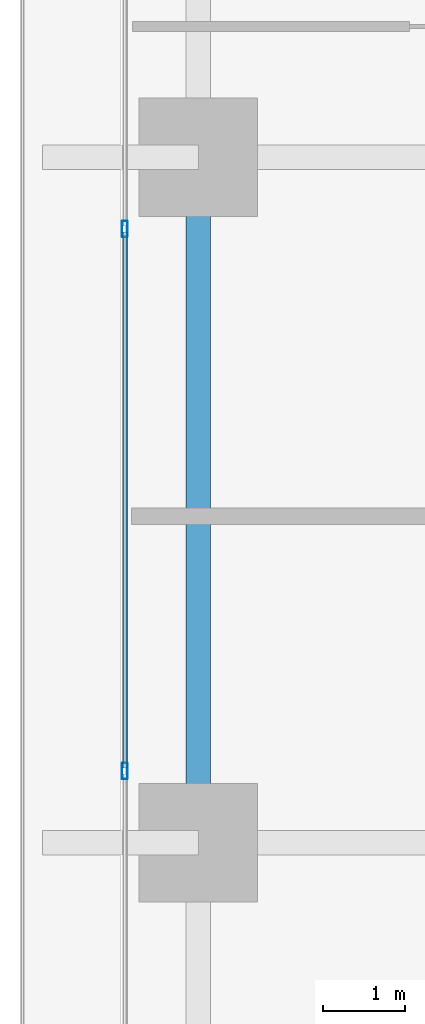
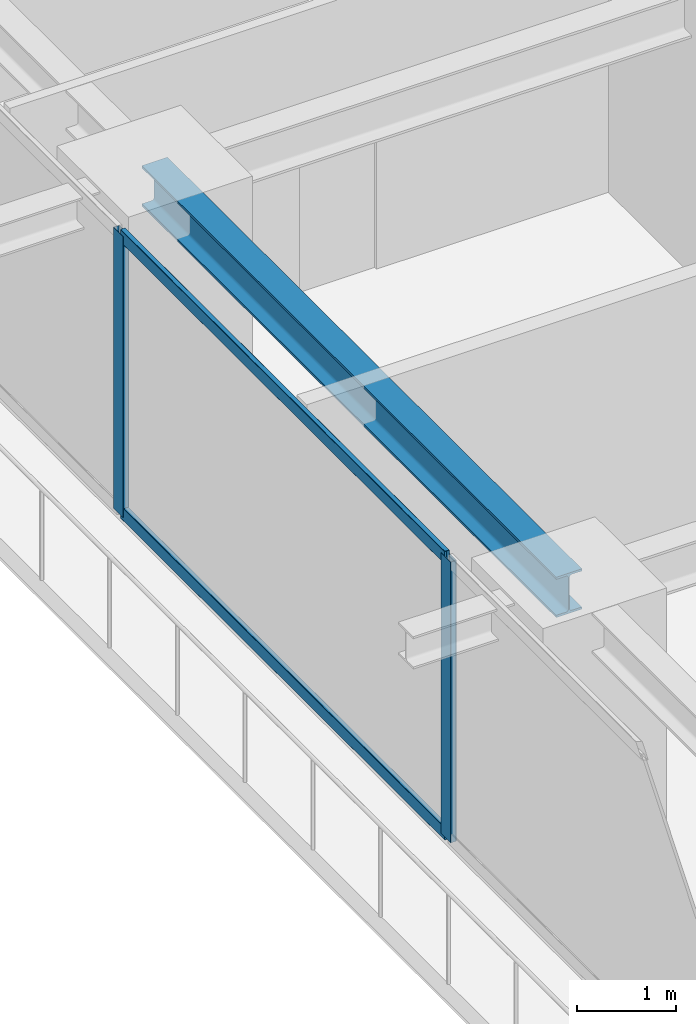
# One storey, part 9 of 39: 4 members, 1 beam, 1 element without a shape of its own.
"""IFC4 building model written with IfcOpenShell, lengths in metres."""

from ifc_helpers import new_model, si_unit, direction, frame, origin, origin_2d, place, context, subcontext, project, spatial, hollow_rectangle, i_section, extrude, source, transform, mapped, material, layer, layer_set, material_profile, profile_set, type_object, element, aggregate, save


model = new_model("IFC4")

# Units and contexts
model_context = context("Model", 3, precision=1e-05, world=origin(), true_north=direction((0.0, 1.0)))
body_context = subcontext(model_context, "Body", "Model", "MODEL_VIEW")
ifc_project = project(units=[si_unit("LENGTHUNIT", "METRE"), si_unit("AREAUNIT", "SQUARE_METRE"), si_unit("VOLUMEUNIT", "CUBIC_METRE"), si_unit("PLANEANGLEUNIT", "RADIAN"), si_unit("MASSUNIT", "GRAM", prefix="KILO")], contexts=[model_context])

# Site, building, storey
site_placement = place(None, origin())
site = spatial("IfcSite", under=ifc_project, at=site_placement, CompositionType="ELEMENT")
building_placement = place(site_placement, origin())
building = spatial("IfcBuilding", under=site, at=building_placement, Name="Serunith Strait Residences", CompositionType="ELEMENT")
storey_placement = place(building_placement, frame((0.0, 0.0, 64.199951171875)))
storey = spatial("IfcBuildingStorey", under=building, at=storey_placement, Name="L15", CompositionType="ELEMENT", Elevation=64.199951171875)

# Beam
ifc_material_1 = material(Name="Steel S355J2", Category="steel")
ifc_material_profile_1 = material_profile(ifc_material_1, i_section(OverallWidth=0.300048828125, OverallDepth=0.5, WebThickness=0.014404296875, FlangeThickness=0.028076171875, FilletRadius=0.027099609375, at=origin_2d()), Name="HEB 500")
ifc_profile_set_1 = profile_set([ifc_material_profile_1], Name="Steel S355J2")
beam_type = type_object("IfcBeamType", Name="BM-HEB500", PredefinedType="BEAM", material=ifc_profile_set_1)
shared_shape_1 = source(origin(), body_context, "Body", "SweptSolid", [
    extrude(i_section(OverallWidth=0.300048828125, OverallDepth=0.5, WebThickness=0.014404296875, FlangeThickness=0.028076171875, FilletRadius=0.027099609375, at=origin_2d()), origin(), (0.0, 0.0, 1.0), 8.39990234375),
])
beam_placement = place(storey_placement, frame((6.89990234375, 29.39990234375, 3.237060546875), z_axis=(0.0, -1.0, 0.0), x_axis=(1.0, 0.0, 0.0)))
element("IfcBeam", 1, at=beam_placement, inside=storey, type_object=beam_type, Name="L15 Perimeter Ring Beam 14", PredefinedType="BEAM", context=body_context, shape_type="MappedRepresentation", body=[
    mapped(shared_shape_1, transform((0.0, 0.0, 0.0), scale=1.0)),
])

# Curtain wall, members
ifc_material_2 = material(Name="Pale-Champagne Anodised Aluminium", Category="aluminium")
ifc_layer = layer(ifc_material_2, 0.199951171875, Name="Pale-Champagne Anodised Aluminium")
ifc_layer_set = layer_set([ifc_layer], Name="Pale-Champagne Anodised Aluminium")
curtain_wall_type = type_object("IfcCurtainWallType", Name="CW-SYS1", PredefinedType="NOTDEFINED", material=ifc_layer_set)
curtain_wall_placement = place(storey_placement, origin())
curtain_wall = element("IfcCurtainWall", 2, at=curtain_wall_placement, inside=storey, type_object=curtain_wall_type, Name="L15 W Unitised Fritted Curtain Wall", PredefinedType="NOTDEFINED")
ifc_material_profile_2 = material_profile(ifc_material_2, hollow_rectangle(XDim=0.070068359375, YDim=0.199951171875, WallThickness=0.00390625, InnerFilletRadius=0.006103515625, OuterFilletRadius=0.010009765625, at=origin_2d()), Name="ALU 200x70x4")
ifc_profile_set_2 = profile_set([ifc_material_profile_2], Name="Pale-Champagne Anodised Aluminium")
member_type_1 = type_object("IfcMemberType", Name="CW-SYS1-MULL", PredefinedType="MULLION", material=ifc_profile_set_2)
shared_shape_2 = source(origin(), body_context, "Body", "SweptSolid", [
    extrude(hollow_rectangle(XDim=0.070068359375, YDim=0.199951171875, WallThickness=0.00390625, InnerFilletRadius=0.006103515625, OuterFilletRadius=0.010009765625, at=origin_2d()), origin(), (0.0, 0.0, 1.0), 3.47509765625),
])
member_1_placement = place(storey_placement, frame((6.0, 28.52001953125, 0.0), z_axis=(0.0, 0.0, 1.0), x_axis=(1.0, 0.0, 0.0)))
member_1 = element("IfcMember", 3, at=member_1_placement, type_object=member_type_1, Name="CW-1 mullion 3", PredefinedType="MULLION", context=body_context, shape_type="MappedRepresentation", body=[
    mapped(shared_shape_2, transform((0.0, 0.0, 0.0), scale=1.0)),
])
member_2_placement = place(storey_placement, frame((6.0, 21.8798828125, 0.0), z_axis=(0.0, 0.0, 1.0), x_axis=(1.0, 0.0, 0.0)))
member_2 = element("IfcMember", 4, at=member_2_placement, type_object=member_type_1, Name="CW-1 mullion 4", PredefinedType="MULLION", context=body_context, shape_type="MappedRepresentation", body=[
    mapped(shared_shape_2, transform((0.0, 0.0, 0.0), scale=1.0)),
])
ifc_material_profile_3 = material_profile(ifc_material_2, hollow_rectangle(XDim=0.06005859375, YDim=0.159912109375, WallThickness=0.00341796875, InnerFilletRadius=0.00537109375, OuterFilletRadius=0.0087890625, at=origin_2d()), Name="ALU 160x60x3.5")
ifc_profile_set_3 = profile_set([ifc_material_profile_3], Name="Pale-Champagne Anodised Aluminium")
member_type_2 = type_object("IfcMemberType", Name="CW-SYS1-TRAN", PredefinedType="USERDEFINED", material=ifc_profile_set_3)
shared_shape_3 = source(origin(), body_context, "Body", "SweptSolid", [
    extrude(hollow_rectangle(XDim=0.06005859375, YDim=0.159912109375, WallThickness=0.00341796875, InnerFilletRadius=0.00537109375, OuterFilletRadius=0.0087890625, at=origin_2d()), origin(), (0.0, 0.0, 1.0), 6.570068359375),
])
member_3_placement = place(storey_placement, frame((6.0, 28.485107421875, 0.030029296875), z_axis=(0.0, -1.0, 0.0), x_axis=(1.0, 0.0, 0.0)))
member_3 = element("IfcMember", 5, at=member_3_placement, type_object=member_type_2, Name="CW-1 transom 3.1", ObjectType="TRANSOM", PredefinedType="USERDEFINED", context=body_context, shape_type="MappedRepresentation", body=[
    mapped(shared_shape_3, transform((0.0, 0.0, 0.0), scale=1.0)),
])
member_4_placement = place(storey_placement, frame((6.0, 28.485107421875, 3.445068359375), z_axis=(0.0, -1.0, 0.0), x_axis=(1.0, 0.0, 0.0)))
member_4 = element("IfcMember", 6, at=member_4_placement, type_object=member_type_2, Name="CW-1 transom 3.2", ObjectType="TRANSOM", PredefinedType="USERDEFINED", context=body_context, shape_type="MappedRepresentation", body=[
    mapped(shared_shape_3, transform((0.0, 0.0, 0.0), scale=1.0)),
])
aggregate(curtain_wall, [member_1, member_2, member_3, member_4])

save(model, "model.ifc")
